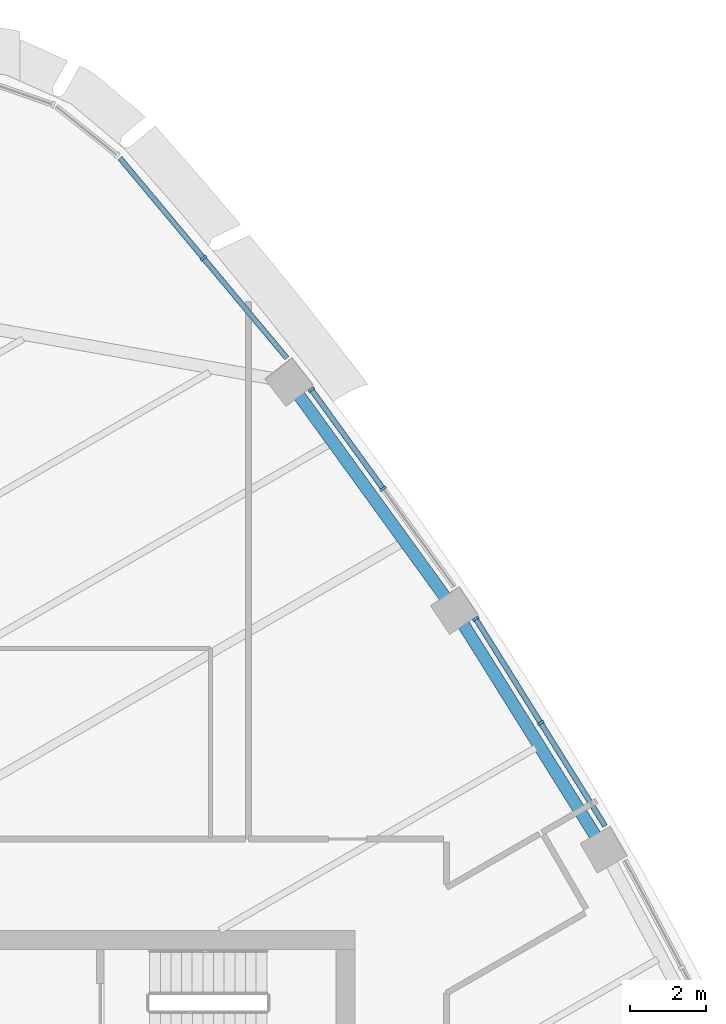
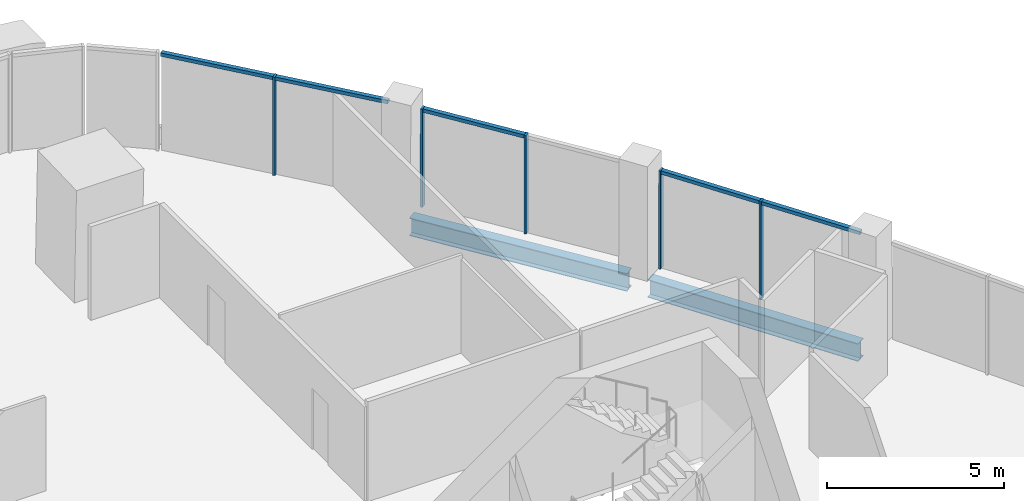
# One storey, part 6 of 15: 10 members, 2 beams, 3 elements without a shape of their own.
"""IFC4 building model written with IfcOpenShell, lengths in metres."""

from ifc_helpers import new_model, si_unit, direction, frame, origin, origin_2d, place, context, subcontext, project, spatial, rectangle, i_section, extrude, material, layer, layer_set, material_profile, profile_set, type_object, element, aggregate, save


model = new_model("IFC4")

# Units and contexts
model_context = context("Model", 3, precision=1e-05, world=origin(), true_north=direction((0.0, 1.0)))
body_context = subcontext(model_context, "Body", "Model", "MODEL_VIEW")
ifc_project = project(units=[si_unit("LENGTHUNIT", "METRE"), si_unit("AREAUNIT", "SQUARE_METRE"), si_unit("VOLUMEUNIT", "CUBIC_METRE"), si_unit("PLANEANGLEUNIT", "RADIAN"), si_unit("MASSUNIT", "GRAM", prefix="KILO")], contexts=[model_context])

# Site, building, storey
site_placement = place(None, origin())
site = spatial("IfcSite", under=ifc_project, at=site_placement, CompositionType="ELEMENT")
building_placement = place(site_placement, origin())
building = spatial("IfcBuilding", under=site, at=building_placement, Name="Sierra Prisma Convention Tower", CompositionType="ELEMENT")
storey_placement = place(building_placement, frame((0.0, 0.0, 283.0)))
storey = spatial("IfcBuildingStorey", under=building, at=storey_placement, Name="L64", CompositionType="ELEMENT", Elevation=283.0)

# Curtain wall, members
ifc_material_1 = material(Name="Aluminium and glass curtain wall", Category="aluminium")
ifc_layer = layer(ifc_material_1, 0.179931640625)
ifc_layer_set = layer_set([ifc_layer], Name="CW-1 Plain shaft curtain wall")
curtain_wall_type = type_object("IfcCurtainWallType", Name="CW-1 Plain shaft curtain wall", PredefinedType="NOTDEFINED", material=ifc_layer_set)
curtain_wall_1_placement = place(storey_placement, origin())
curtain_wall_1 = element("IfcCurtainWall", 1, at=curtain_wall_1_placement, inside=storey, type_object=curtain_wall_type, Name="CW-1 NE4 L64", PredefinedType="NOTDEFINED")
ifc_material_2 = material(Name="Aluminium 6063-T6 bronze anodised", Category="aluminium")
ifc_material_profile_1 = material_profile(ifc_material_2, rectangle(XDim=0.179931640625, YDim=0.070068359375, at=origin_2d()), Name="ALU MULLION 70x180")
ifc_profile_set_1 = profile_set([ifc_material_profile_1], Name="Aluminium 6063-T6 bronze anodised")
member_type_1 = type_object("IfcMemberType", Name="CW mullion bronze", PredefinedType="MULLION", material=ifc_profile_set_1)
member_1_placement = place(storey_placement, frame((15.873291015625, 13.448486328125, 0.0), z_axis=(0.0, 0.0, 1.0), x_axis=(-0.848331902931, -0.529464807583, 0.0)))
member_1 = element("IfcMember", 2, at=member_1_placement, type_object=member_type_1, Name="CW-1 mullion NE4.2", PredefinedType="MULLION", context=body_context, shape_type="SweptSolid", body=[
    extrude(rectangle(XDim=0.179931640625, YDim=0.070068359375, at=origin_2d()), origin(), (0.0, 0.0, 1.0), 3.39990234375),
])
member_2_placement = place(storey_placement, frame((14.16455078125, 16.1865234375, 0.0), z_axis=(0.0, 0.0, 1.0), x_axis=(-0.848331902931, -0.529464807583, 0.0)))
member_2 = element("IfcMember", 3, at=member_2_placement, type_object=member_type_1, Name="CW-1 mullion NE4.3", PredefinedType="MULLION", context=body_context, shape_type="SweptSolid", body=[
    extrude(rectangle(XDim=0.179931640625, YDim=0.070068359375, at=origin_2d()), origin(), (0.0, 0.0, 1.0), 3.39990234375),
])

curtain_wall_2_placement = place(storey_placement, origin())
curtain_wall_2 = element("IfcCurtainWall", 4, at=curtain_wall_2_placement, inside=storey, type_object=curtain_wall_type, Name="CW-1 NE5 L64", PredefinedType="NOTDEFINED")
member_3_placement = place(storey_placement, frame((11.733154296875, 19.6025390625, 0.0), z_axis=(0.0, 0.0, 1.0), x_axis=(-0.80996074746, -0.586484089788, 0.0)))
member_3 = element("IfcMember", 5, at=member_3_placement, type_object=member_type_1, Name="CW-1 mullion NE5.2", PredefinedType="MULLION", context=body_context, shape_type="SweptSolid", body=[
    extrude(rectangle(XDim=0.179931640625, YDim=0.070068359375, at=origin_2d()), origin(), (0.0, 0.0, 1.0), 3.39990234375),
])
member_4_placement = place(storey_placement, frame((9.84912109375, 22.204345703125, 0.0), z_axis=(0.0, 0.0, 1.0), x_axis=(-0.80996074746, -0.586484089788, 0.0)))
member_4 = element("IfcMember", 6, at=member_4_placement, type_object=member_type_1, Name="CW-1 mullion NE5.3", PredefinedType="MULLION", context=body_context, shape_type="SweptSolid", body=[
    extrude(rectangle(XDim=0.179931640625, YDim=0.070068359375, at=origin_2d()), origin(), (0.0, 0.0, 1.0), 3.39990234375),
])

# Curtain wall, member
curtain_wall_3_placement = place(storey_placement, origin())
curtain_wall_3 = element("IfcCurtainWall", 7, at=curtain_wall_3_placement, inside=storey, type_object=curtain_wall_type, Name="CW-1 NE6 L64", PredefinedType="NOTDEFINED")
member_5_placement = place(storey_placement, frame((7.013427734375, 25.65869140625, 0.0), z_axis=(0.0, 0.0, 1.0), x_axis=(-0.767763706667, -0.640733088521, 0.0)))
member_5 = element("IfcMember", 8, at=member_5_placement, type_object=member_type_1, Name="CW-1 mullion NE6.2", PredefinedType="MULLION", context=body_context, shape_type="SweptSolid", body=[
    extrude(rectangle(XDim=0.179931640625, YDim=0.070068359375, at=origin_2d()), origin(), (0.0, 0.0, 1.0), 3.39990234375),
])

# Member
ifc_material_3 = material(Name="Aluminium 6063-T6 bronze anodised", Category="aluminium")
ifc_material_profile_2 = material_profile(ifc_material_3, rectangle(XDim=0.139892578125, YDim=0.1201171875, at=origin_2d()), Name="ALU TRANSOM 120x140")
ifc_profile_set_2 = profile_set([ifc_material_profile_2], Name="Aluminium 6063-T6 bronze anodised")
member_type_2 = type_object("IfcMemberType", Name="CW transom bronze", PredefinedType="USERDEFINED", material=ifc_profile_set_2)
member_6_placement = place(storey_placement, frame((17.5634765625, 10.740478515625, 3.340087890625), z_axis=(-0.529449728854, 0.848341313751, 0.0), x_axis=(-0.848341313751, -0.529449728854, 0.0)))
member_6 = element("IfcMember", 9, at=member_6_placement, type_object=member_type_2, Name="CW-1 transom NE4.1", ObjectType="TRANSOM", PredefinedType="USERDEFINED", context=body_context, shape_type="SweptSolid", body=[
    extrude(rectangle(XDim=0.139892578125, YDim=0.1201171875, at=origin_2d()), origin(), (0.0, 0.0, 1.0), 3.1572265625),
])

member_7_placement = place(storey_placement, frame((15.854736328125, 13.478271484375, 3.340087890625), z_axis=(-0.529449728854, 0.848341313751, 0.0), x_axis=(-0.848341313751, -0.529449728854, 0.0)))
member_7 = element("IfcMember", 10, at=member_7_placement, type_object=member_type_2, Name="CW-1 transom NE4.2", ObjectType="TRANSOM", PredefinedType="USERDEFINED", context=body_context, shape_type="SweptSolid", body=[
    extrude(rectangle(XDim=0.139892578125, YDim=0.1201171875, at=origin_2d()), origin(), (0.0, 0.0, 1.0), 3.1572265625),
])

aggregate(curtain_wall_1, [member_1, member_2, member_6, member_7])

member_8_placement = place(storey_placement, frame((11.712646484375, 19.630859375, 3.340087890625), z_axis=(-0.586502782206, 0.809947212147, 0.0), x_axis=(-0.809947212147, -0.586502782206, 0.0)))
member_8 = element("IfcMember", 11, at=member_8_placement, type_object=member_type_2, Name="CW-1 transom NE5.2", ObjectType="TRANSOM", PredefinedType="USERDEFINED", context=body_context, shape_type="SweptSolid", body=[
    extrude(rectangle(XDim=0.139892578125, YDim=0.1201171875, at=origin_2d()), origin(), (0.0, 0.0, 1.0), 3.142333984375),
])

aggregate(curtain_wall_2, [member_3, member_4, member_8])

member_9_placement = place(storey_placement, frame((9.206787109375, 23.030517578125, 3.340087890625), z_axis=(-0.64072998057, 0.76776630038, 0.0), x_axis=(-0.76776630038, -0.64072998057, 0.0)))
member_9 = element("IfcMember", 12, at=member_9_placement, type_object=member_type_2, Name="CW-1 transom NE6.1", ObjectType="TRANSOM", PredefinedType="USERDEFINED", context=body_context, shape_type="SweptSolid", body=[
    extrude(rectangle(XDim=0.139892578125, YDim=0.1201171875, at=origin_2d()), origin(), (0.0, 0.0, 1.0), 3.38818359375),
])

member_10_placement = place(storey_placement, frame((6.990966796875, 25.685791015625, 3.340087890625), z_axis=(-0.64072998057, 0.76776630038, 0.0), x_axis=(-0.76776630038, -0.64072998057, 0.0)))
member_10 = element("IfcMember", 13, at=member_10_placement, type_object=member_type_2, Name="CW-1 transom NE6.2", ObjectType="TRANSOM", PredefinedType="USERDEFINED", context=body_context, shape_type="SweptSolid", body=[
    extrude(rectangle(XDim=0.139892578125, YDim=0.1201171875, at=origin_2d()), origin(), (0.0, 0.0, 1.0), 3.38818359375),
])

aggregate(curtain_wall_3, [member_5, member_9, member_10])

# Beams
ifc_material_4 = material(Name="Steel ASTM A992 Gr 50", Category="steel")
ifc_material_profile_3 = material_profile(ifc_material_4, i_section(OverallWidth=0.324951171875, OverallDepth=0.615966796875, WebThickness=0.013916015625, FlangeThickness=0.021484375, at=origin_2d()), Name="W610x174")
ifc_profile_set_3 = profile_set([ifc_material_profile_3], Name="Steel ASTM A992 Gr 50")
beam_type = type_object("IfcBeamType", Name="Spandrel beam W610x174", PredefinedType="BEAM", material=ifc_profile_set_3)
for number, where, z_axis, x_axis, name in (
    (14, (17.36083984375, 10.404541015625, -0.4580078125), (-0.529475549973, 0.848325198247, 0.0), (-0.848325198247, -0.529475549973, 0.0), "Spandrel L64-10"),
    (15, (13.41748046875, 16.68017578125, -0.4580078125), (-0.5864934532, 0.809953967428, 0.0), (-0.809953967428, -0.5864934532, 0.0), "Spandrel L64-11"),
):
    element("IfcBeam", number, at=place(storey_placement, frame(where, z_axis=z_axis, x_axis=x_axis)), inside=storey, type_object=beam_type, Name=name, PredefinedType="BEAM", context=body_context, shape_type="SweptSolid", body=[
        extrude(i_section(OverallWidth=0.324951171875, OverallDepth=0.615966796875, WebThickness=0.013916015625, FlangeThickness=0.021484375, at=origin_2d()), origin(), (0.0, 0.0, 1.0), 6.751953125),
    ])

save(model, "model.ifc")
